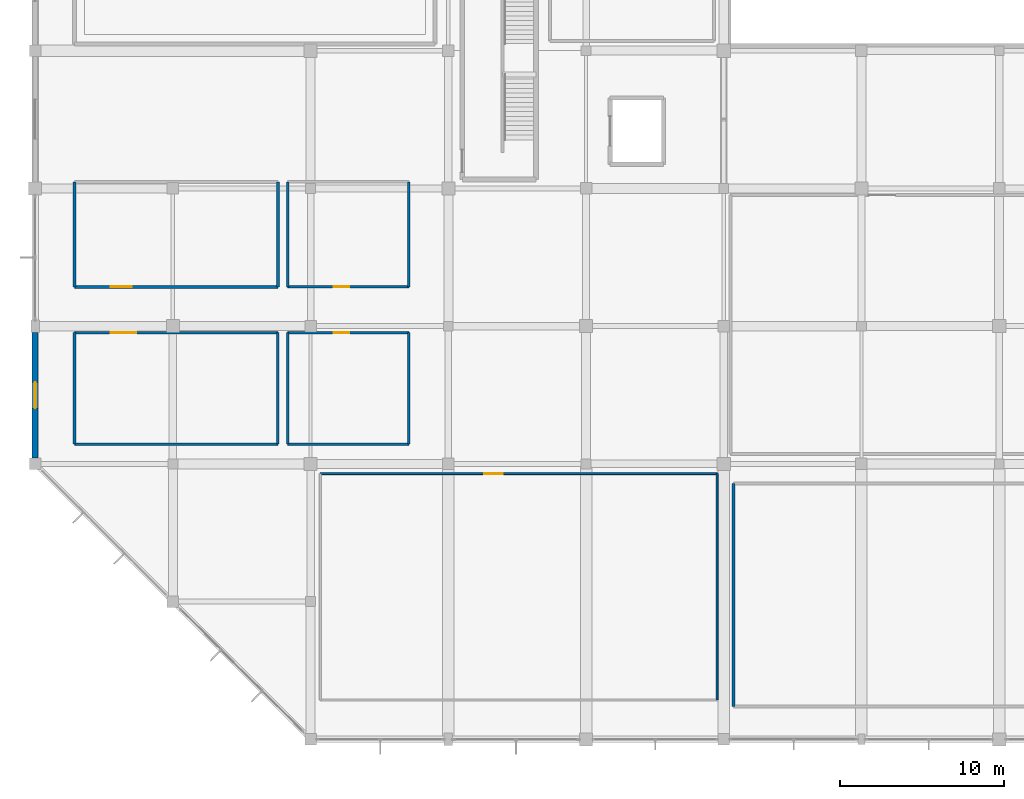
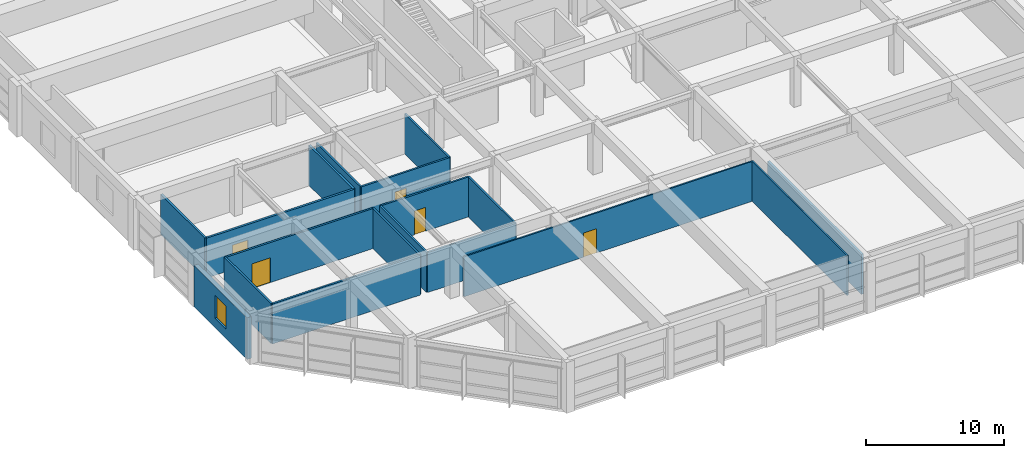
# One storey, part 50 of 65: 18 walls, 5 doors, 1 window, 6 openings.
"""IFC4 building model written with IfcOpenShell, lengths in metres."""

import ifcopenshell
import ifcopenshell.guid

model = None  # the IFC model being written
_history = None  # IfcOwnerHistory: only IFC2X3 demands one
_inside = {}  # id of a spatial element -> (the spatial element, [elements in it])
_under = {}  # id of a project, library or spatial element -> (it, [spatial elements below it])
_declared = {}  # id of a project -> (the project, [libraries it declares])
_typed = {}  # id of a type object -> (the type object, [elements of that type])
_made_of = {}  # id of a material, layer set ... -> (it, [elements and type objects made of it])


def new_model(schema):
    """Start an empty IFC model of exactly this schema.

    Asked for "IFC4X3", IfcOpenShell would pick the latest addendum, in which some entities
    have other attributes; the version numbers below select the first issue.
    IFC2X3 requires an IfcOwnerHistory on every rooted entity: one is made here for all.
    """
    global model, _history
    if schema == "IFC4X3":
        model = ifcopenshell.file(schema_version=(4, 3, 0, 0))
    else:
        model = ifcopenshell.file(schema=schema)
    _inside.clear()
    _under.clear()
    _declared.clear()
    _typed.clear()
    _made_of.clear()
    _history = None
    if model.schema == "IFC2X3":
        org = make("IfcOrganization", Name="unknown")
        user = make(
            "IfcPersonAndOrganization",
            ThePerson=make("IfcPerson", FamilyName="unknown"),
            TheOrganization=org,
        )
        app = make(
            "IfcApplication",
            ApplicationDeveloper=org,
            Version="unknown",
            ApplicationFullName="unknown",
            ApplicationIdentifier="unknown",
        )
        _history = make(
            "IfcOwnerHistory",
            OwningUser=user,
            OwningApplication=app,
            ChangeAction="ADDED",
            CreationDate=0,
        )
    return model


def make(cls, **values):
    """One entity of the class cls with the attributes given. An attribute that is None is left unset."""
    return model.create_entity(
        cls, **{name: value for name, value in values.items() if value is not None}
    )


def rooted(cls, **values):
    """An entity with a GlobalId (a new one), such as an element, a storey or a relation."""
    return make(cls, GlobalId=ifcopenshell.guid.new(), OwnerHistory=_history, **values)


def si_unit(unit_type, name, prefix=None):
    """IfcSIUnit, for example si_unit("LENGTHUNIT", "METRE", prefix="MILLI")."""
    return make("IfcSIUnit", UnitType=unit_type, Prefix=prefix, Name=name)


def assignment(units):
    """IfcUnitAssignment: the units of a project."""
    return None if units is None else make("IfcUnitAssignment", Units=units)


def point(xyz):
    """IfcCartesianPoint."""
    return None if xyz is None else make("IfcCartesianPoint", Coordinates=xyz)


def direction(xyz):
    """IfcDirection."""
    return None if xyz is None else make("IfcDirection", DirectionRatios=xyz)


def frame(location, z_axis=None, x_axis=None):
    """IfcAxis2Placement3D, a coordinate frame: its origin and axes. An axis left out is left unset."""
    return make(
        "IfcAxis2Placement3D",
        Location=point(location),
        Axis=direction(z_axis),
        RefDirection=direction(x_axis),
    )


def frame_2d(location, x_axis=None):
    """IfcAxis2Placement2D, a coordinate frame in the plane: its origin and x axis."""
    return make(
        "IfcAxis2Placement2D", Location=point(location), RefDirection=direction(x_axis)
    )


def origin():
    """The frame at (0, 0, 0) with its axes left unset."""
    return frame((0.0, 0.0, 0.0))


def place(relative_to, where):
    """IfcLocalPlacement: puts the frame where relative to a parent placement (None: the world)."""
    return make(
        "IfcLocalPlacement", PlacementRelTo=relative_to, RelativePlacement=where
    )


def context(
    kind, dimensions, precision=None, world=None, true_north=None, identifier=None
):
    """IfcGeometricRepresentationContext, for example the 3D "Model" context."""
    return make(
        "IfcGeometricRepresentationContext",
        ContextIdentifier=identifier,
        ContextType=kind,
        CoordinateSpaceDimension=dimensions,
        Precision=precision,
        WorldCoordinateSystem=world,
        TrueNorth=true_north,
    )


def subcontext(parent, identifier, kind, view, scale=None):
    """IfcGeometricRepresentationSubContext, for example "Body" below "Model"."""
    return make(
        "IfcGeometricRepresentationSubContext",
        ContextIdentifier=identifier,
        ContextType=kind,
        ParentContext=parent,
        TargetScale=scale,
        TargetView=view,
    )


def project(units=None, contexts=None):
    """IfcProject with its units and contexts."""
    return rooted(
        "IfcProject",
        Name="project",
        RepresentationContexts=contexts,
        UnitsInContext=assignment(units),
    )


def spatial(cls, under=None, at=None, **own):
    """A site, building, storey or space (cls), placed at a placement, below another one or the project."""
    s = rooted(cls, ObjectPlacement=at, **own)
    if under is not None:
        _under.setdefault(under.id(), (under, []))[1].append(s)
    return s


def profile(cls, at=None, kind="AREA", **sizes):
    """A parametric profile (cls). Its sizes go by their IFC names, for example OverallWidth=200.0."""
    return make(cls, ProfileType=kind, Position=at, **sizes)


def rectangle(**sizes):
    """IfcRectangleProfileDef."""
    return profile("IfcRectangleProfileDef", **sizes)


def extrude(swept, where, along, depth):
    """IfcExtrudedAreaSolid: the profile swept, set in the frame where, extruded along a direction by depth."""
    return make(
        "IfcExtrudedAreaSolid",
        SweptArea=swept,
        Position=where,
        ExtrudedDirection=direction(along),
        Depth=depth,
    )


def shape(context_of_items, identifier, shape_type, items):
    """IfcShapeRepresentation: the items that make up one representation, for example the "Body"."""
    return make(
        "IfcShapeRepresentation",
        ContextOfItems=context_of_items,
        RepresentationIdentifier=identifier,
        RepresentationType=shape_type,
        Items=items,
    )


def material(Name=None, Category=None):
    """IfcMaterial."""
    return make("IfcMaterial", Name=Name, Category=Category)


def layer(
    of_material, thickness, ventilated=None, Name=None, Category=None, Priority=None
):
    """IfcMaterialLayer: one layer of a wall or slab, of a material (None: an air gap)."""
    return make(
        "IfcMaterialLayer",
        Material=of_material,
        LayerThickness=thickness,
        IsVentilated=ventilated,
        Name=Name,
        Category=Category,
        Priority=Priority,
    )


def layer_set(layers, Name=None):
    """IfcMaterialLayerSet."""
    return make("IfcMaterialLayerSet", MaterialLayers=layers, LayerSetName=Name)


def made_of(thing, what):
    """Note that an element or type object is made of a material, layer set ...; save() writes the relation."""
    if what is not None:
        _made_of.setdefault(what.id(), (what, []))[1].append(thing)
    return thing


def type_object(cls, material=None, **own):
    """A type object (cls), such as IfcWallType, which elements share."""
    return made_of(rooted(cls, **own), material)


def element(
    cls,
    number,
    at=None,
    inside=None,
    cuts=None,
    type_object=None,
    material=None,
    context=None,
    identifier="Body",
    shape_type=None,
    held_by="IfcProductDefinitionShape",
    body=None,
    shapes=None,
    **own,
):
    """One element of the class cls, such as IfcWall. Its Tag is "e" and its number.

    at: its placement. inside: the storey or other place that contains it. cuts: it is an
    opening in that element (IfcRelVoidsElement). A single representation is given by context,
    identifier, shape_type and body (its items); several are given by shapes. held_by: the class
    of the entity that holds the representations. save() writes the other relations.
    """
    e = rooted(cls, Tag="e%d" % number, ObjectPlacement=at, **own)
    if body is not None:
        shapes = [shape(context, identifier, shape_type, body)]
    if shapes is not None:
        e.Representation = make(held_by, Representations=shapes)
    if inside is not None:
        _inside.setdefault(inside.id(), (inside, []))[1].append(e)
    if cuts is not None:
        rooted(
            "IfcRelVoidsElement", RelatingBuildingElement=cuts, RelatedOpeningElement=e
        )
    if type_object is not None:
        _typed.setdefault(type_object.id(), (type_object, []))[1].append(e)
    return made_of(e, material)


def fill(opening, filler):
    """IfcRelFillsElement: the door or window that sits in an opening."""
    return rooted(
        "IfcRelFillsElement",
        RelatingOpeningElement=opening,
        RelatedBuildingElement=filler,
    )


def aggregate(whole, parts):
    """IfcRelAggregates: a whole, such as a stair, and the parts it consists of."""
    return rooted("IfcRelAggregates", RelatingObject=whole, RelatedObjects=parts)


def save(model, path):
    """Write the relations noted so far, then the file.

    IfcRelAggregates (storeys below a building ...), IfcRelContainedInSpatialStructure (elements
    in a storey), IfcRelDefinesByType, IfcRelAssociatesMaterial and IfcRelDeclares: one each for
    every whole, place, type object, material and project.
    """
    for whole, parts in _under.values():
        aggregate(whole, parts)
    for where, things in _inside.values():
        rooted(
            "IfcRelContainedInSpatialStructure",
            RelatedElements=things,
            RelatingStructure=where,
        )
    for kind, things in _typed.values():
        rooted("IfcRelDefinesByType", RelatedObjects=things, RelatingType=kind)
    for what, things in _made_of.values():
        rooted("IfcRelAssociatesMaterial", RelatedObjects=things, RelatingMaterial=what)
    for by, libraries in _declared.values():
        rooted("IfcRelDeclares", RelatingContext=by, RelatedDefinitions=libraries)
    model.write(path)


model = new_model("IFC4")

# Units and contexts
model_context = context("Model", 3, precision=1e-05, world=origin(), true_north=direction((0.0, 1.0)))
body_context = subcontext(model_context, "Body", "Model", "MODEL_VIEW")
ifc_project = project(units=[si_unit("LENGTHUNIT", "METRE"), si_unit("AREAUNIT", "SQUARE_METRE"), si_unit("VOLUMEUNIT", "CUBIC_METRE"), si_unit("PLANEANGLEUNIT", "RADIAN"), si_unit("MASSUNIT", "GRAM", prefix="KILO")], contexts=[model_context])

# Site, building, storey
site_placement = place(None, origin())
site = spatial("IfcSite", under=ifc_project, at=site_placement, CompositionType="ELEMENT")
building_placement = place(site_placement, origin())
building = spatial("IfcBuilding", under=site, at=building_placement, Name="Xuanlan Plaza Opera House", CompositionType="ELEMENT")
storey_placement = place(building_placement, frame((0.0, 0.0, 5.39990234375)))
storey = spatial("IfcBuildingStorey", under=building, at=storey_placement, Name="L01", CompositionType="ELEMENT", Elevation=5.39990234375)

# Wall, opening, window
ifc_material_1 = material(Name="Anodised Aluminium 6063-T6 and Rockwool Cladding", Category="aluminium")
ifc_layer_1 = layer(ifc_material_1, 0.360107421875)
ifc_layer_set_1 = layer_set([ifc_layer_1], Name="Anodised Aluminium 6063-T6 and Rockwool Cladding")
wall_type_1 = type_object("IfcWallType", Name="ENV-WL-EW-01", PredefinedType="STANDARD", material=ifc_layer_set_1)
wall_1_placement = place(storey_placement, frame((0.0, 24.824951171875, 0.0), z_axis=(0.0, 0.0, 1.0), x_axis=(0.0, -1.0, 0.0)))
wall_1 = element("IfcWall", 1, at=wall_1_placement, inside=storey, type_object=wall_type_1, Name="Exterior Wall L01-058", PredefinedType="STANDARD", context=body_context, shape_type="SweptSolid", body=[
    extrude(rectangle(XDim=7.675048828125, YDim=0.360107421875, at=frame_2d((3.83740234375, 0.0))), origin(), (0.0, 0.0, 1.0), 3.68017578125),
])
opening_1_placement = place(wall_1_placement, frame((3.0380859375, 0.0, 0.85009765625)))
opening_1 = element("IfcOpeningElement", 2, at=opening_1_placement, cuts=wall_1, Name="Opening WN-05", PredefinedType="OPENING", context=body_context, shape_type="SweptSolid", body=[
    extrude(rectangle(XDim=1.60009765625, YDim=2.0, at=frame_2d((0.800048828125, 1.0))), frame((0.0, 0.18994140625, 0.0), z_axis=(0.0, -1.0, 0.0), x_axis=(1.0, 0.0, 0.0)), (0.0, 0.0, 1.0), 0.380126953125),
])
ifc_material_2 = material(Name="Anodised Aluminium 6063-T6 and Low-E Glass", Category="aluminium")
window_type = type_object("IfcWindowType", Name="ENV-WN-WN-05", PartitioningType="DOUBLE_PANEL_VERTICAL", PredefinedType="WINDOW", material=ifc_material_2)
window_placement = place(opening_1_placement, origin())
window = element("IfcWindow", 3, at=window_placement, inside=storey, type_object=window_type, Name="Facade Window L01-058", OverallHeight=2.0, OverallWidth=1.60009765625, PartitioningType="DOUBLE_PANEL_VERTICAL", PredefinedType="WINDOW", context=body_context, shape_type="SweptSolid", body=[
    extrude(rectangle(XDim=1.60009765625, YDim=2.0, at=frame_2d((0.800048828125, 1.0))), frame((0.0, 0.030029296875, 0.0), z_axis=(0.0, -1.0, 0.0), x_axis=(1.0, 0.0, 0.0)), (0.0, 0.0, 1.0), 0.06005859375),
])
fill(opening_1, window)

# Wall, opening, door
ifc_material_3 = material(Name="Gypsum Board and Galvanised Steel Studs", Category="gypsum")
ifc_layer_2 = layer(ifc_material_3, 0.179931640625)
ifc_layer_set_2 = layer_set([ifc_layer_2], Name="Gypsum Board and Galvanised Steel Studs")
wall_type_2 = type_object("IfcWallType", Name="INT-WL-PW-02", PredefinedType="PARTITIONING", material=ifc_layer_set_2)
wall_2_placement = place(storey_placement, frame((2.39990234375, 27.60009765625, 0.0), z_axis=(0.0, 0.0, 1.0), x_axis=(1.0, 0.0, 0.0)))
wall_2 = element("IfcWall", 4, at=wall_2_placement, inside=storey, type_object=wall_type_2, Name="Principal Dressing Room 1 Wall South", PredefinedType="PARTITIONING", context=body_context, shape_type="SweptSolid", body=[
    extrude(rectangle(XDim=12.400146484375, YDim=0.179931640625, at=frame_2d((6.2001953125, 0.0))), origin(), (0.0, 0.0, 1.0), 3.5400390625),
])
opening_2_placement = place(wall_2_placement, frame((2.199951171875, 0.0, 0.0)))
opening_2 = element("IfcOpeningElement", 5, at=opening_2_placement, cuts=wall_2, Name="Opening D-11", PredefinedType="OPENING", context=body_context, shape_type="SweptSolid", body=[
    extrude(rectangle(XDim=1.280029296875, YDim=2.159912109375, at=frame_2d((0.64013671875, 1.080078125))), frame((0.0, 0.099853515625, 0.0), z_axis=(0.0, -1.0, 0.0), x_axis=(1.0, 0.0, 0.0)), (0.0, 0.0, 1.0), 0.199951171875),
])
ifc_material_4 = material(Name="Walnut Hardwood Timber", Category="wood")
door_type_1 = type_object("IfcDoorType", Name="INT-DR-D-11", OperationType="NOTDEFINED", PredefinedType="DOOR", material=ifc_material_4)
door_1_placement = place(opening_2_placement, origin())
door_1 = element("IfcDoor", 6, at=door_1_placement, inside=storey, type_object=door_type_1, Name="Principal Dressing Room 1 Door 1", OperationType="SINGLE_SWING_LEFT", OverallHeight=2.159912109375, OverallWidth=1.280029296875, PredefinedType="DOOR", context=body_context, shape_type="SweptSolid", body=[
    extrude(rectangle(XDim=1.280029296875, YDim=2.159912109375, at=frame_2d((0.64013671875, 1.080078125))), frame((0.0, 0.02490234375, 0.0), z_axis=(0.0, -1.0, 0.0), x_axis=(1.0, 0.0, 0.0)), (0.0, 0.0, 1.0), 0.050048828125),
])
fill(opening_2, door_1)

# Walls
for number, where, z_axis, x_axis, name in (
    (7, (2.39990234375, 27.60009765625, 0.0), (0.0, 0.0, 1.0), (0.0, 1.0, 0.0), "Principal Dressing Room 1 Wall West"),
    (8, (14.800048828125, 27.60009765625, 0.0), (0.0, 0.0, 1.0), (0.0, 1.0, 0.0), "Principal Dressing Room 1 Wall East"),
):
    element("IfcWall", number, at=place(storey_placement, frame(where, z_axis=z_axis, x_axis=x_axis)), inside=storey, type_object=wall_type_2, Name=name, PredefinedType="PARTITIONING", context=body_context, shape_type="SweptSolid", body=[
        extrude(rectangle(XDim=6.39990234375, YDim=0.179931640625, at=frame_2d((3.199951171875, 0.0))), origin(), (0.0, 0.0, 1.0), 3.5400390625),
    ])
wall_3_placement = place(storey_placement, frame((42.60009765625, 2.0, 0.0), z_axis=(0.0, 0.0, 1.0), x_axis=(0.0, 1.0, 0.0)))
element("IfcWall", 9, at=wall_3_placement, inside=storey, type_object=wall_type_2, Name="Costume Archive Store Wall West", PredefinedType="PARTITIONING", context=body_context, shape_type="SweptSolid", body=[
    extrude(rectangle(XDim=13.60009765625, YDim=0.179931640625, at=frame_2d((6.800048828125, 0.0))), origin(), (0.0, 0.0, 1.0), 3.5400390625),
])

# Wall, opening, door
ifc_material_5 = material(Name="Autoclaved Aerated Blockwork Masonry", Category="masonry")
ifc_layer_3 = layer(ifc_material_5, 0.14990234375)
ifc_layer_set_3 = layer_set([ifc_layer_3], Name="Autoclaved Aerated Blockwork Masonry")
wall_type_3 = type_object("IfcWallType", Name="INT-WL-PW-03", PredefinedType="PARTITIONING", material=ifc_layer_set_3)
wall_4_placement = place(storey_placement, frame((15.39990234375, 27.60009765625, 0.0), z_axis=(0.0, 0.0, 1.0), x_axis=(1.0, 0.0, 0.0)))
wall_4 = element("IfcWall", 10, at=wall_4_placement, inside=storey, type_object=wall_type_3, Name="Dressing Room Shower and WC 1 Wall South", PredefinedType="PARTITIONING", context=body_context, shape_type="SweptSolid", body=[
    extrude(rectangle(XDim=7.400146484375, YDim=0.14990234375, at=frame_2d((3.7001953125, 0.0))), origin(), (0.0, 0.0, 1.0), 3.5400390625),
])
opening_3_placement = place(wall_4_placement, frame((2.800048828125, 0.0, 0.0)))
opening_3 = element("IfcOpeningElement", 11, at=opening_3_placement, cuts=wall_4, Name="Opening D-01", PredefinedType="OPENING", context=body_context, shape_type="SweptSolid", body=[
    extrude(rectangle(XDim=0.949951171875, YDim=2.10009765625, at=frame_2d((0.47509765625, 1.050048828125))), frame((0.0, 0.0849609375, 0.0), z_axis=(0.0, -1.0, 0.0), x_axis=(1.0, 0.0, 0.0)), (0.0, 0.0, 1.0), 0.169921875),
])
door_type_2 = type_object("IfcDoorType", Name="INT-DR-D-01", OperationType="NOTDEFINED", PredefinedType="DOOR", material=ifc_material_4)
door_2_placement = place(opening_3_placement, origin())
door_2 = element("IfcDoor", 12, at=door_2_placement, inside=storey, type_object=door_type_2, Name="Dressing Room Shower and WC 1 Door 1", OperationType="SINGLE_SWING_LEFT", OverallHeight=2.10009765625, OverallWidth=0.949951171875, PredefinedType="DOOR", context=body_context, shape_type="SweptSolid", body=[
    extrude(rectangle(XDim=0.949951171875, YDim=2.10009765625, at=frame_2d((0.47509765625, 1.050048828125))), frame((0.0, 0.02490234375, 0.0), z_axis=(0.0, -1.0, 0.0), x_axis=(1.0, 0.0, 0.0)), (0.0, 0.0, 1.0), 0.050048828125),
])
fill(opening_3, door_2)

# Walls
for number, where, z_axis, x_axis, name in (
    (13, (15.39990234375, 27.60009765625, 0.0), (0.0, 0.0, 1.0), (0.0, 1.0, 0.0), "Dressing Room Shower and WC 1 Wall West"),
    (14, (22.800048828125, 27.60009765625, 0.0), (0.0, 0.0, 1.0), (0.0, 1.0, 0.0), "Dressing Room Shower and WC 1 Wall East"),
):
    element("IfcWall", number, at=place(storey_placement, frame(where, z_axis=z_axis, x_axis=x_axis)), inside=storey, type_object=wall_type_3, Name=name, PredefinedType="PARTITIONING", context=body_context, shape_type="SweptSolid", body=[
        extrude(rectangle(XDim=6.39990234375, YDim=0.14990234375, at=frame_2d((3.199951171875, 0.0))), origin(), (0.0, 0.0, 1.0), 3.5400390625),
    ])
wall_5_placement = place(storey_placement, frame((15.39990234375, 18.0, 0.0), z_axis=(0.0, 0.0, 1.0), x_axis=(1.0, 0.0, 0.0)))
element("IfcWall", 15, at=wall_5_placement, inside=storey, type_object=wall_type_3, Name="Dressing Room Shower and WC 2 Wall South", PredefinedType="PARTITIONING", context=body_context, shape_type="SweptSolid", body=[
    extrude(rectangle(XDim=7.400146484375, YDim=0.14990234375, at=frame_2d((3.7001953125, 0.0))), origin(), (0.0, 0.0, 1.0), 3.5400390625),
])

# Wall, opening, door
wall_6_placement = place(storey_placement, frame((15.39990234375, 24.800048828125, 0.0), z_axis=(0.0, 0.0, 1.0), x_axis=(1.0, 0.0, 0.0)))
wall_6 = element("IfcWall", 16, at=wall_6_placement, inside=storey, type_object=wall_type_3, Name="Dressing Room Shower and WC 2 Wall North", PredefinedType="PARTITIONING", context=body_context, shape_type="SweptSolid", body=[
    extrude(rectangle(XDim=7.400146484375, YDim=0.14990234375, at=frame_2d((3.7001953125, 0.0))), origin(), (0.0, 0.0, 1.0), 3.5400390625),
])
opening_4_placement = place(wall_6_placement, frame((2.800048828125, 0.0, 0.0)))
opening_4 = element("IfcOpeningElement", 17, at=opening_4_placement, cuts=wall_6, Name="Opening D-01", PredefinedType="OPENING", context=body_context, shape_type="SweptSolid", body=[
    extrude(rectangle(XDim=0.949951171875, YDim=2.10009765625, at=frame_2d((0.47509765625, 1.050048828125))), frame((0.0, 0.0849609375, 0.0), z_axis=(0.0, -1.0, 0.0), x_axis=(1.0, 0.0, 0.0)), (0.0, 0.0, 1.0), 0.169921875),
])
door_3_placement = place(opening_4_placement, origin())
door_3 = element("IfcDoor", 18, at=door_3_placement, inside=storey, type_object=door_type_2, Name="Dressing Room Shower and WC 2 Door 1", OperationType="SINGLE_SWING_RIGHT", OverallHeight=2.10009765625, OverallWidth=0.949951171875, PredefinedType="DOOR", context=body_context, shape_type="SweptSolid", body=[
    extrude(rectangle(XDim=0.949951171875, YDim=2.10009765625, at=frame_2d((0.47509765625, 1.050048828125))), frame((0.0, 0.02490234375, 0.0), z_axis=(0.0, -1.0, 0.0), x_axis=(1.0, 0.0, 0.0)), (0.0, 0.0, 1.0), 0.050048828125),
])
fill(opening_4, door_3)

# Walls
for number, where, z_axis, x_axis, name in (
    (19, (15.39990234375, 18.0, 0.0), (0.0, 0.0, 1.0), (0.0, 1.0, 0.0), "Dressing Room Shower and WC 2 Wall West"),
    (20, (22.800048828125, 18.0, 0.0), (0.0, 0.0, 1.0), (0.0, 1.0, 0.0), "Dressing Room Shower and WC 2 Wall East"),
):
    element("IfcWall", number, at=place(storey_placement, frame(where, z_axis=z_axis, x_axis=x_axis)), inside=storey, type_object=wall_type_3, Name=name, PredefinedType="PARTITIONING", context=body_context, shape_type="SweptSolid", body=[
        extrude(rectangle(XDim=6.800048828125, YDim=0.14990234375, at=frame_2d((3.39990234375, 0.0))), origin(), (0.0, 0.0, 1.0), 3.5400390625),
    ])

# Wall, opening, door
ifc_layer_4 = layer(ifc_material_3, 0.1201171875)
ifc_layer_set_4 = layer_set([ifc_layer_4], Name="Gypsum Board and Galvanised Steel Studs")
wall_type_4 = type_object("IfcWallType", Name="INT-WL-PW-04", PredefinedType="PARTITIONING", material=ifc_layer_set_4)
wall_7_placement = place(storey_placement, frame((17.39990234375, 16.199951171875, 0.0), z_axis=(0.0, 0.0, 1.0), x_axis=(1.0, 0.0, 0.0)))
wall_7 = element("IfcWall", 21, at=wall_7_placement, inside=storey, type_object=wall_type_4, Name="Wardrobe and Costume Workshop Wall North", PredefinedType="PARTITIONING", context=body_context, shape_type="SweptSolid", body=[
    extrude(rectangle(XDim=24.2001953125, YDim=0.1201171875, at=frame_2d((12.10009765625, 0.0))), origin(), (0.0, 0.0, 1.0), 3.5400390625),
])
opening_5_placement = place(wall_7_placement, frame((10.0, 0.0, 0.0)))
opening_5 = element("IfcOpeningElement", 22, at=opening_5_placement, cuts=wall_7, Name="Opening D-10", PredefinedType="OPENING", context=body_context, shape_type="SweptSolid", body=[
    extrude(rectangle(XDim=1.1201171875, YDim=2.139892578125, at=frame_2d((0.56005859375, 1.06982421875))), frame((0.0, 0.070068359375, 0.0), z_axis=(0.0, -1.0, 0.0), x_axis=(1.0, 0.0, 0.0)), (0.0, 0.0, 1.0), 0.14013671875),
])
ifc_material_6 = material(Name="Oak Hardwood Timber", Category="wood")
door_type_3 = type_object("IfcDoorType", Name="INT-DR-D-10", OperationType="NOTDEFINED", PredefinedType="DOOR", material=ifc_material_6)
door_4_placement = place(opening_5_placement, origin())
door_4 = element("IfcDoor", 23, at=door_4_placement, inside=storey, type_object=door_type_3, Name="Wardrobe and Costume Workshop Door 1", OperationType="SINGLE_SWING_RIGHT", OverallHeight=2.139892578125, OverallWidth=1.1201171875, PredefinedType="DOOR", context=body_context, shape_type="SweptSolid", body=[
    extrude(rectangle(XDim=1.1201171875, YDim=2.139892578125, at=frame_2d((0.56005859375, 1.06982421875))), frame((0.0, 0.02490234375, 0.0), z_axis=(0.0, -1.0, 0.0), x_axis=(1.0, 0.0, 0.0)), (0.0, 0.0, 1.0), 0.050048828125),
])
fill(opening_5, door_4)

# Walls
wall_8_placement = place(storey_placement, frame((41.60009765625, 2.39990234375, 0.0), z_axis=(0.0, 0.0, 1.0), x_axis=(0.0, 1.0, 0.0)))
element("IfcWall", 24, at=wall_8_placement, inside=storey, type_object=wall_type_4, Name="Wardrobe and Costume Workshop Wall East", PredefinedType="PARTITIONING", context=body_context, shape_type="SweptSolid", body=[
    extrude(rectangle(XDim=13.800048828125, YDim=0.1201171875, at=frame_2d((6.89990234375, 0.0))), origin(), (0.0, 0.0, 1.0), 3.5400390625),
])
ifc_layer_5 = layer(ifc_material_3, 0.159912109375)
ifc_layer_set_5 = layer_set([ifc_layer_5], Name="Gypsum Board and Galvanised Steel Studs")
wall_type_5 = type_object("IfcWallType", Name="INT-WL-PW-05", PredefinedType="PARTITIONING", material=ifc_layer_set_5)
wall_9_placement = place(storey_placement, frame((2.39990234375, 18.0, 0.0), z_axis=(0.0, 0.0, 1.0), x_axis=(1.0, 0.0, 0.0)))
element("IfcWall", 25, at=wall_9_placement, inside=storey, type_object=wall_type_5, Name="Principal Dressing Room 2 Wall South", PredefinedType="PARTITIONING", context=body_context, shape_type="SweptSolid", body=[
    extrude(rectangle(XDim=12.400146484375, YDim=0.159912109375, at=frame_2d((6.2001953125, 0.0))), origin(), (0.0, 0.0, 1.0), 3.5400390625),
])

# Wall, opening, door
wall_10_placement = place(storey_placement, frame((2.39990234375, 24.800048828125, 0.0), z_axis=(0.0, 0.0, 1.0), x_axis=(1.0, 0.0, 0.0)))
wall_10 = element("IfcWall", 26, at=wall_10_placement, inside=storey, type_object=wall_type_5, Name="Principal Dressing Room 2 Wall North", PredefinedType="PARTITIONING", context=body_context, shape_type="SweptSolid", body=[
    extrude(rectangle(XDim=12.400146484375, YDim=0.159912109375, at=frame_2d((6.2001953125, 0.0))), origin(), (0.0, 0.0, 1.0), 3.5400390625),
])
opening_6_placement = place(wall_10_placement, frame((2.199951171875, 0.0, 0.0)))
opening_6 = element("IfcOpeningElement", 27, at=opening_6_placement, cuts=wall_10, Name="Opening D-13", PredefinedType="OPENING", context=body_context, shape_type="SweptSolid", body=[
    extrude(rectangle(XDim=1.56005859375, YDim=2.199951171875, at=frame_2d((0.780029296875, 1.10009765625))), frame((0.0, 0.08984375, 0.0), z_axis=(0.0, -1.0, 0.0), x_axis=(1.0, 0.0, 0.0)), (0.0, 0.0, 1.0), 0.179931640625),
])
door_type_4 = type_object("IfcDoorType", Name="INT-DR-D-13", OperationType="DOUBLE_DOOR_SINGLE_SWING", PredefinedType="DOOR", material=ifc_material_4)
door_5_placement = place(opening_6_placement, origin())
door_5 = element("IfcDoor", 28, at=door_5_placement, inside=storey, type_object=door_type_4, Name="Principal Dressing Room 2 Door 1", OperationType="DOUBLE_DOOR_SINGLE_SWING", OverallHeight=2.199951171875, OverallWidth=1.56005859375, PredefinedType="DOOR", context=body_context, shape_type="SweptSolid", body=[
    extrude(rectangle(XDim=1.56005859375, YDim=2.199951171875, at=frame_2d((0.780029296875, 1.10009765625))), frame((0.0, 0.02490234375, 0.0), z_axis=(0.0, -1.0, 0.0), x_axis=(1.0, 0.0, 0.0)), (0.0, 0.0, 1.0), 0.050048828125),
])
fill(opening_6, door_5)

# Walls
for number, where, z_axis, x_axis, name in (
    (29, (2.39990234375, 18.0, 0.0), (0.0, 0.0, 1.0), (0.0, 1.0, 0.0), "Principal Dressing Room 2 Wall West"),
    (30, (14.800048828125, 18.0, 0.0), (0.0, 0.0, 1.0), (0.0, 1.0, 0.0), "Principal Dressing Room 2 Wall East"),
):
    element("IfcWall", number, at=place(storey_placement, frame(where, z_axis=z_axis, x_axis=x_axis)), inside=storey, type_object=wall_type_5, Name=name, PredefinedType="PARTITIONING", context=body_context, shape_type="SweptSolid", body=[
        extrude(rectangle(XDim=6.800048828125, YDim=0.159912109375, at=frame_2d((3.39990234375, 0.0))), origin(), (0.0, 0.0, 1.0), 3.5400390625),
    ])

save(model, "model.ifc")
